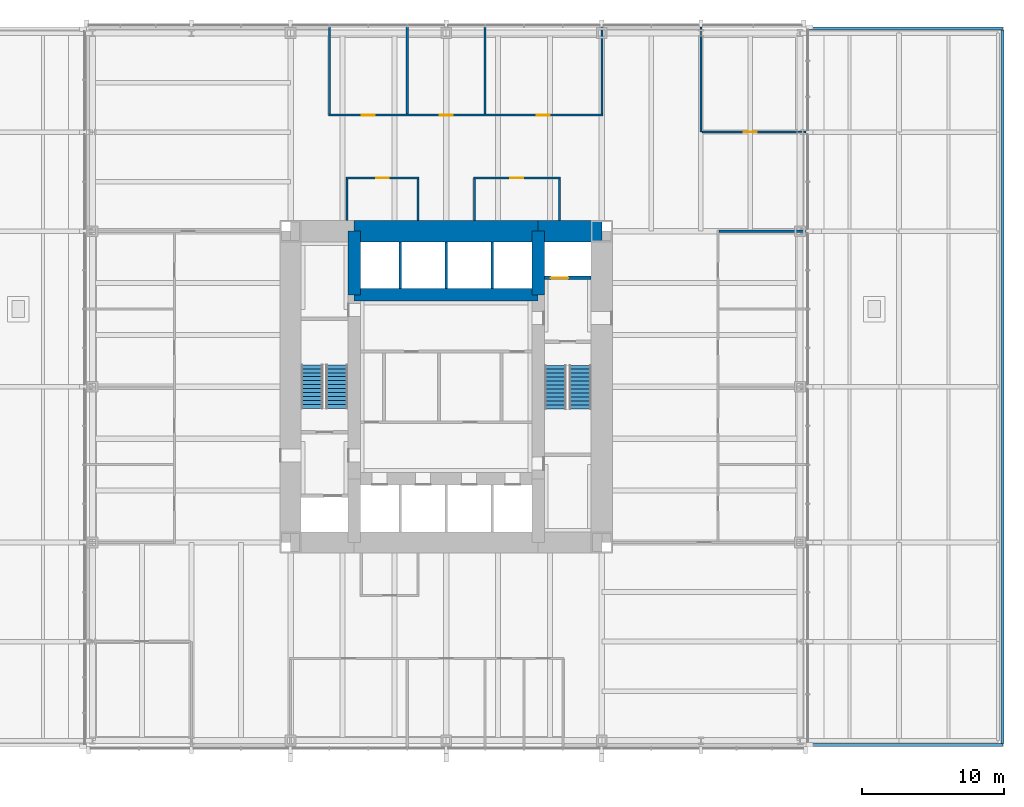
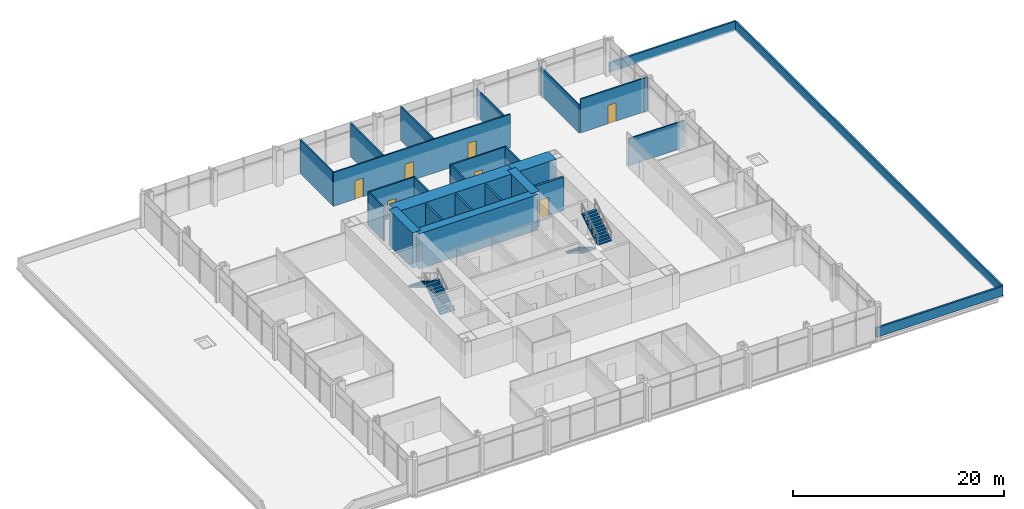
# One storey, part 14 of 15: 26 walls, 7 doors, 4 stair flights, 7 openings, 2 elements without a shape of their own.
"""IFC4 building model written with IfcOpenShell, lengths in metres."""

from ifc_helpers import new_model, si_unit, direction, frame, frame_2d, origin, place, context, subcontext, project, spatial, polyline, rectangle, outline, extrude, material, layer, layer_set, type_object, element, fill, aggregate, save


model = new_model("IFC4")

# Units and contexts
model_context = context("Model", 3, precision=1e-05, world=origin(), true_north=direction((0.0, 1.0)))
body_context = subcontext(model_context, "Body", "Model", "MODEL_VIEW")
ifc_project = project(units=[si_unit("LENGTHUNIT", "METRE"), si_unit("AREAUNIT", "SQUARE_METRE"), si_unit("VOLUMEUNIT", "CUBIC_METRE"), si_unit("PLANEANGLEUNIT", "RADIAN"), si_unit("MASSUNIT", "GRAM", prefix="KILO")], contexts=[model_context])

# Site, building, storey
site_placement = place(None, origin())
site = spatial("IfcSite", under=ifc_project, at=site_placement, CompositionType="ELEMENT")
building_placement = place(site_placement, origin())
building = spatial("IfcBuilding", under=site, at=building_placement, Name="Trevanion Tower", CompositionType="ELEMENT")
storey_placement = place(building_placement, frame((0.0, 0.0, 16.0)))
storey = spatial("IfcBuildingStorey", under=building, at=storey_placement, Name="L03", CompositionType="ELEMENT", Elevation=16.0)

# Walls
ifc_material_1 = material(Name="Concrete 10,000 psi", Category="concrete")
ifc_layer_1 = layer(ifc_material_1, 1.5)
ifc_layer_set_1 = layer_set([ifc_layer_1], Name="CW1 core wall 1500")
wall_type_1 = type_object("IfcWallType", Name="CW1 core wall 1500", PredefinedType="SHEAR", material=ifc_layer_set_1)
wall_1_placement = place(storey_placement, frame((11.0, 11.0, 0.0), z_axis=(0.0, 0.0, 1.0), x_axis=(-1.0, 0.0, 0.0)))
element("IfcWall", 1, at=wall_1_placement, inside=storey, type_object=wall_type_1, Name="CW1 CN1 L03", PredefinedType="SHEAR", context=body_context, shape_type="SweptSolid", body=[
    extrude(rectangle(XDim=4.5, YDim=1.5, at=frame_2d((2.25, 0.0))), origin(), (0.0, 0.0, 1.0), 4.10009765625),
])
wall_2_placement = place(storey_placement, frame((6.5, 11.0, 0.0), z_axis=(0.0, 0.0, 1.0), x_axis=(-1.0, 0.0, 0.0)))
element("IfcWall", 2, at=wall_2_placement, inside=storey, type_object=wall_type_1, Name="CW1 CN2 L03", PredefinedType="SHEAR", context=body_context, shape_type="SweptSolid", body=[
    extrude(rectangle(XDim=13.0, YDim=1.5, at=frame_2d((6.5, 0.0))), origin(), (0.0, 0.0, 1.0), 4.10009765625),
])
ifc_material_2 = material(Name="Concrete 10,000 psi", Category="concrete")
ifc_layer_2 = layer(ifc_material_2, 0.89990234375)
ifc_layer_set_2 = layer_set([ifc_layer_2], Name="CW2 core wall 900")
wall_type_2 = type_object("IfcWallType", Name="CW2 core wall 900", PredefinedType="SHEAR", material=ifc_layer_set_2)
for number, where, z_axis, x_axis, name in (
    (3, (6.5, 6.5, 0.0), (0.0, 0.0, 1.0), (0.0, 1.0, 0.0), "CW2 RE3 L03"),
    (4, (-6.5, 11.0, 0.0), (0.0, 0.0, 1.0), (0.0, -1.0, 0.0), "CW2 RW1 L03"),
):
    element("IfcWall", number, at=place(storey_placement, frame(where, z_axis=z_axis, x_axis=x_axis)), inside=storey, type_object=wall_type_2, Name=name, PredefinedType="SHEAR", context=body_context, shape_type="SweptSolid", body=[
        extrude(rectangle(XDim=4.5, YDim=0.89990234375, at=frame_2d((2.25, 0.0))), origin(), (0.0, 0.0, 1.0), 4.10009765625),
    ])
wall_3_placement = place(storey_placement, frame((6.5, 6.5, 0.0), z_axis=(0.0, 0.0, 1.0), x_axis=(-1.0, 0.0, 0.0)))
element("IfcWall", 5, at=wall_3_placement, inside=storey, type_object=wall_type_2, Name="CW2 RN L03", PredefinedType="SHEAR", context=body_context, shape_type="SweptSolid", body=[
    extrude(rectangle(XDim=13.0, YDim=0.89990234375, at=frame_2d((6.5, 0.0))), origin(), (0.0, 0.0, 1.0), 4.10009765625),
])
ifc_material_3 = material(Name="Reinforced concrete parapet faced in bronze metal coping", Category="concrete")
ifc_layer_3 = layer(ifc_material_3, 0.199951171875)
ifc_layer_set_3 = layer_set([ifc_layer_3], Name="PP1 parapet 200")
wall_type_3 = type_object("IfcWallType", Name="PP1 parapet 200", PredefinedType="PARAPET", material=ifc_layer_set_3)
wall_4_placement = place(storey_placement, frame((25.419921875, -25.320068359375, 0.0), z_axis=(0.0, 0.0, 1.0), x_axis=(1.0, 0.0, 0.0)))
element("IfcWall", 6, at=wall_4_placement, inside=storey, type_object=wall_type_3, Name="PP1 L03 east 1", PredefinedType="PARAPET", context=body_context, shape_type="SweptSolid", body=[
    extrude(rectangle(XDim=13.900146484375, YDim=0.199951171875, at=frame_2d((6.9501953125, 0.0))), origin(), (0.0, 0.0, 1.0), 1.10009765625),
])
wall_5_placement = place(storey_placement, frame((39.320068359375, -25.219970703125, 0.0), z_axis=(0.0, 0.0, 1.0), x_axis=(0.0, 1.0, 0.0)))
element("IfcWall", 7, at=wall_5_placement, inside=storey, type_object=wall_type_3, Name="PP1 L03 east 2", PredefinedType="PARAPET", context=body_context, shape_type="SweptSolid", body=[
    extrude(rectangle(XDim=50.43994140625, YDim=0.199951171875, at=frame_2d((25.219970703125, 0.0))), origin(), (0.0, 0.0, 1.0), 1.10009765625),
])
wall_6_placement = place(storey_placement, frame((39.320068359375, 25.320068359375, 0.0), z_axis=(0.0, 0.0, 1.0), x_axis=(-1.0, 0.0, 0.0)))
element("IfcWall", 8, at=wall_6_placement, inside=storey, type_object=wall_type_3, Name="PP1 L03 east 3", PredefinedType="PARAPET", context=body_context, shape_type="SweptSolid", body=[
    extrude(rectangle(XDim=13.900146484375, YDim=0.199951171875, at=frame_2d((6.9501953125, 0.0))), origin(), (0.0, 0.0, 1.0), 1.10009765625),
])
ifc_material_4 = material(Name="Gypsum board on steel studs", Category="steel")
ifc_layer_4 = layer(ifc_material_4, 0.14990234375)
ifc_layer_set_4 = layer_set([ifc_layer_4], Name="PT1 partition 150")
wall_type_4 = type_object("IfcWallType", Name="PT1 partition 150", PredefinedType="PARTITIONING", material=ifc_layer_set_4)
wall_7_placement = place(storey_placement, frame((18.0, 18.0, 0.0), z_axis=(0.0, 0.0, 1.0), x_axis=(0.0, 1.0, 0.0)))
element("IfcWall", 9, at=wall_7_placement, inside=storey, type_object=wall_type_4, Name="PT1 L03 KW0a", PredefinedType="PARTITIONING", context=body_context, shape_type="SweptSolid", body=[
    extrude(rectangle(XDim=7.4150390625, YDim=0.14990234375, at=frame_2d((3.70751953125, 0.0))), origin(), (0.0, 0.0, 1.0), 3.216552734375),
])

# Wall, opening, door
wall_8_placement = place(storey_placement, frame((18.074951171875, 18.0, 0.0), z_axis=(0.0, 0.0, 1.0), x_axis=(1.0, 0.0, 0.0)))
wall_8 = element("IfcWall", 10, at=wall_8_placement, inside=storey, type_object=wall_type_4, Name="PT1 L03 KW0b", PredefinedType="PARTITIONING", context=body_context, shape_type="SweptSolid", body=[
    extrude(rectangle(XDim=7.340087890625, YDim=0.14990234375, at=frame_2d((3.669921875, 0.0))), origin(), (0.0, 0.0, 1.0), 3.909912109375),
])
opening_1_placement = place(wall_8_placement, frame((2.967529296875, 0.0, 0.0)))
opening_1 = element("IfcOpeningElement", 11, at=opening_1_placement, cuts=wall_8, Name="Opening 03-021", PredefinedType="OPENING", context=body_context, shape_type="SweptSolid", body=[
    extrude(rectangle(XDim=0.9150390625, YDim=2.134033203125, at=frame_2d((0.45751953125, 1.06689453125))), frame((0.0, 0.0849609375, 0.0), z_axis=(0.0, -1.0, 0.0), x_axis=(1.0, 0.0, 0.0)), (0.0, 0.0, 1.0), 0.169921875),
])
ifc_material_5 = material(Name="Timber veneer, solid core", Category="wood")
door_type_1 = type_object("IfcDoorType", Name="D1 office and meeting room door", OperationType="SINGLE_SWING_LEFT", PredefinedType="DOOR", material=ifc_material_5)
door_1_placement = place(opening_1_placement, origin())
door_1 = element("IfcDoor", 12, at=door_1_placement, inside=storey, type_object=door_type_1, Name="Door 03-021", OperationType="SINGLE_SWING_LEFT", OverallHeight=2.134033203125, OverallWidth=0.9150390625, PredefinedType="DOOR", context=body_context, shape_type="SweptSolid", body=[
    extrude(rectangle(XDim=0.9150390625, YDim=2.134033203125, at=frame_2d((0.45751953125, 1.06689453125))), frame((0.0, 0.02490234375, 0.0), z_axis=(0.0, -1.0, 0.0), x_axis=(1.0, 0.0, 0.0)), (0.0, 0.0, 1.0), 0.050048828125),
])
fill(opening_1, door_1)

# Wall
wall_9_placement = place(storey_placement, frame((19.27490234375, 11.0, 0.0), z_axis=(0.0, 0.0, 1.0), x_axis=(1.0, 0.0, 0.0)))
element("IfcWall", 13, at=wall_9_placement, inside=storey, type_object=wall_type_4, Name="PT1 L03 FC0S8", PredefinedType="PARTITIONING", context=body_context, shape_type="SweptSolid", body=[
    extrude(rectangle(XDim=6.14013671875, YDim=0.14990234375, at=frame_2d((3.070068359375, 0.0))), origin(), (0.0, 0.0, 1.0), 3.130126953125),
])

# Wall, openings, doors
wall_10_placement = place(storey_placement, frame((11.074951171875, 19.199951171875, 0.0), z_axis=(0.0, 0.0, 1.0), x_axis=(-1.0, 0.0, 0.0)))
wall_10 = element("IfcWall", 14, at=wall_10_placement, inside=storey, type_object=wall_type_4, Name="PT1 L03 FC1F", PredefinedType="PARTITIONING", context=body_context, shape_type="SweptSolid", body=[
    extrude(rectangle(XDim=19.39990234375, YDim=0.14990234375, at=frame_2d((9.699951171875, 0.0))), origin(), (0.0, 0.0, 1.0), 3.909912109375),
])
opening_2_placement = place(wall_10_placement, frame((3.742431640625, 0.0, 0.0)))
opening_2 = element("IfcOpeningElement", 15, at=opening_2_placement, cuts=wall_10, Name="Opening 03-031", PredefinedType="OPENING", context=body_context, shape_type="SweptSolid", body=[
    extrude(rectangle(XDim=0.9150390625, YDim=2.134033203125, at=frame_2d((0.45751953125, 1.06689453125))), frame((0.0, 0.0849609375, 0.0), z_axis=(0.0, -1.0, 0.0), x_axis=(1.0, 0.0, 0.0)), (0.0, 0.0, 1.0), 0.169921875),
])
opening_3_placement = place(wall_10_placement, frame((10.617431640625, 0.0, 0.0)))
opening_3 = element("IfcOpeningElement", 16, at=opening_3_placement, cuts=wall_10, Name="Opening 03-032", PredefinedType="OPENING", context=body_context, shape_type="SweptSolid", body=[
    extrude(rectangle(XDim=0.9150390625, YDim=2.134033203125, at=frame_2d((0.45751953125, 1.06689453125))), frame((0.0, 0.0849609375, 0.0), z_axis=(0.0, -1.0, 0.0), x_axis=(1.0, 0.0, 0.0)), (0.0, 0.0, 1.0), 0.169921875),
])
opening_4_placement = place(wall_10_placement, frame((16.117431640625, 0.0, 0.0)))
opening_4 = element("IfcOpeningElement", 17, at=opening_4_placement, cuts=wall_10, Name="Opening 03-033", PredefinedType="OPENING", context=body_context, shape_type="SweptSolid", body=[
    extrude(rectangle(XDim=0.9150390625, YDim=2.134033203125, at=frame_2d((0.45751953125, 1.06689453125))), frame((0.0, 0.0849609375, 0.0), z_axis=(0.0, -1.0, 0.0), x_axis=(1.0, 0.0, 0.0)), (0.0, 0.0, 1.0), 0.169921875),
])
door_2_placement = place(opening_2_placement, origin())
door_2 = element("IfcDoor", 18, at=door_2_placement, inside=storey, type_object=door_type_1, Name="Door 03-031", OperationType="SINGLE_SWING_LEFT", OverallHeight=2.134033203125, OverallWidth=0.9150390625, PredefinedType="DOOR", context=body_context, shape_type="SweptSolid", body=[
    extrude(rectangle(XDim=0.9150390625, YDim=2.134033203125, at=frame_2d((0.45751953125, 1.06689453125))), frame((0.0, 0.02490234375, 0.0), z_axis=(0.0, -1.0, 0.0), x_axis=(1.0, 0.0, 0.0)), (0.0, 0.0, 1.0), 0.050048828125),
])
fill(opening_2, door_2)
door_3_placement = place(opening_3_placement, origin())
door_3 = element("IfcDoor", 19, at=door_3_placement, inside=storey, type_object=door_type_1, Name="Door 03-032", OperationType="SINGLE_SWING_LEFT", OverallHeight=2.134033203125, OverallWidth=0.9150390625, PredefinedType="DOOR", context=body_context, shape_type="SweptSolid", body=[
    extrude(rectangle(XDim=0.9150390625, YDim=2.134033203125, at=frame_2d((0.45751953125, 1.06689453125))), frame((0.0, 0.02490234375, 0.0), z_axis=(0.0, -1.0, 0.0), x_axis=(1.0, 0.0, 0.0)), (0.0, 0.0, 1.0), 0.050048828125),
])
fill(opening_3, door_3)
door_4_placement = place(opening_4_placement, origin())
door_4 = element("IfcDoor", 20, at=door_4_placement, inside=storey, type_object=door_type_1, Name="Door 03-033", OperationType="SINGLE_SWING_LEFT", OverallHeight=2.134033203125, OverallWidth=0.9150390625, PredefinedType="DOOR", context=body_context, shape_type="SweptSolid", body=[
    extrude(rectangle(XDim=0.9150390625, YDim=2.134033203125, at=frame_2d((0.45751953125, 1.06689453125))), frame((0.0, 0.02490234375, 0.0), z_axis=(0.0, -1.0, 0.0), x_axis=(1.0, 0.0, 0.0)), (0.0, 0.0, 1.0), 0.050048828125),
])
fill(opening_4, door_4)

# Walls
wall_11_placement = place(storey_placement, frame((11.0, 19.27490234375, 0.0), z_axis=(0.0, 0.0, 1.0), x_axis=(0.0, 1.0, 0.0)))
element("IfcWall", 21, at=wall_11_placement, inside=storey, type_object=wall_type_4, Name="PT1 L03 FC1S0", PredefinedType="PARTITIONING", context=body_context, shape_type="SweptSolid", body=[
    extrude(rectangle(XDim=6.14013671875, YDim=0.14990234375, at=frame_2d((3.070068359375, 0.0))), origin(), (0.0, 0.0, 1.0), 3.130126953125),
])
for number, where, z_axis, x_axis, name in (
    (22, (2.75, 19.27490234375, 0.0), (0.0, 0.0, 1.0), (0.0, 1.0, 0.0), "PT1 L03 FC1S3"),
    (23, (-2.75, 19.27490234375, 0.0), (0.0, 0.0, 1.0), (0.0, 1.0, 0.0), "PT1 L03 FC1S5"),
    (24, (-8.25, 19.27490234375, 0.0), (0.0, 0.0, 1.0), (0.0, 1.0, 0.0), "PT1 L03 FC1S7"),
):
    element("IfcWall", number, at=place(storey_placement, frame(where, z_axis=z_axis, x_axis=x_axis)), inside=storey, type_object=wall_type_4, Name=name, PredefinedType="PARTITIONING", context=body_context, shape_type="SweptSolid", body=[
        extrude(rectangle(XDim=6.14013671875, YDim=0.14990234375, at=frame_2d((3.070068359375, 0.0))), origin(), (0.0, 0.0, 1.0), 3.909912109375),
    ])

# Wall, opening, door
wall_12_placement = place(storey_placement, frame((8.074951171875, 14.75, 0.0), z_axis=(0.0, 0.0, 1.0), x_axis=(-1.0, 0.0, 0.0)))
wall_12 = element("IfcWall", 25, at=wall_12_placement, inside=storey, type_object=wall_type_4, Name="PT1 L03 IN10F", PredefinedType="PARTITIONING", context=body_context, shape_type="SweptSolid", body=[
    extrude(rectangle(XDim=6.14990234375, YDim=0.14990234375, at=frame_2d((3.074951171875, 0.0))), origin(), (0.0, 0.0, 1.0), 3.909912109375),
])
opening_5_placement = place(wall_12_placement, frame((2.617431640625, 0.0, 0.0)))
opening_5 = element("IfcOpeningElement", 26, at=opening_5_placement, cuts=wall_12, Name="Opening 03-038", PredefinedType="OPENING", context=body_context, shape_type="SweptSolid", body=[
    extrude(rectangle(XDim=0.9150390625, YDim=2.134033203125, at=frame_2d((0.45751953125, 1.06689453125))), frame((0.0, 0.0849609375, 0.0), z_axis=(0.0, -1.0, 0.0), x_axis=(1.0, 0.0, 0.0)), (0.0, 0.0, 1.0), 0.169921875),
])
door_5_placement = place(opening_5_placement, origin())
door_5 = element("IfcDoor", 27, at=door_5_placement, inside=storey, type_object=door_type_1, Name="Door 03-038", OperationType="SINGLE_SWING_LEFT", OverallHeight=2.134033203125, OverallWidth=0.9150390625, PredefinedType="DOOR", context=body_context, shape_type="SweptSolid", body=[
    extrude(rectangle(XDim=0.9150390625, YDim=2.134033203125, at=frame_2d((0.45751953125, 1.06689453125))), frame((0.0, 0.02490234375, 0.0), z_axis=(0.0, -1.0, 0.0), x_axis=(1.0, 0.0, 0.0)), (0.0, 0.0, 1.0), 0.050048828125),
])
fill(opening_5, door_5)

# Walls
for number, where, z_axis, x_axis, name in (
    (28, (8.0, 14.675048828125, 0.0), (0.0, 0.0, 1.0), (0.0, -1.0, 0.0), "PT1 L03 IN10S0"),
    (29, (2.0, 14.675048828125, 0.0), (0.0, 0.0, 1.0), (0.0, -1.0, 0.0), "PT1 L03 IN10S1"),
):
    element("IfcWall", number, at=place(storey_placement, frame(where, z_axis=z_axis, x_axis=x_axis)), inside=storey, type_object=wall_type_4, Name=name, PredefinedType="PARTITIONING", context=body_context, shape_type="SweptSolid", body=[
        extrude(rectangle(XDim=2.925048828125, YDim=0.14990234375, at=frame_2d((1.46240234375, 0.0))), origin(), (0.0, 0.0, 1.0), 3.909912109375),
    ])

# Wall, opening, door
wall_13_placement = place(storey_placement, frame((-1.925048828125, 14.75, 0.0), z_axis=(0.0, 0.0, 1.0), x_axis=(-1.0, 0.0, 0.0)))
wall_13 = element("IfcWall", 30, at=wall_13_placement, inside=storey, type_object=wall_type_4, Name="PT1 L03 IN11F", PredefinedType="PARTITIONING", context=body_context, shape_type="SweptSolid", body=[
    extrude(rectangle(XDim=5.14990234375, YDim=0.14990234375, at=frame_2d((2.574951171875, 0.0))), origin(), (0.0, 0.0, 1.0), 3.909912109375),
])
opening_6_placement = place(wall_13_placement, frame((2.117431640625, 0.0, 0.0)))
opening_6 = element("IfcOpeningElement", 31, at=opening_6_placement, cuts=wall_13, Name="Opening 03-039", PredefinedType="OPENING", context=body_context, shape_type="SweptSolid", body=[
    extrude(rectangle(XDim=0.9150390625, YDim=2.134033203125, at=frame_2d((0.45751953125, 1.06689453125))), frame((0.0, 0.0849609375, 0.0), z_axis=(0.0, -1.0, 0.0), x_axis=(1.0, 0.0, 0.0)), (0.0, 0.0, 1.0), 0.169921875),
])
door_6_placement = place(opening_6_placement, origin())
door_6 = element("IfcDoor", 32, at=door_6_placement, inside=storey, type_object=door_type_1, Name="Door 03-039", OperationType="SINGLE_SWING_LEFT", OverallHeight=2.134033203125, OverallWidth=0.9150390625, PredefinedType="DOOR", context=body_context, shape_type="SweptSolid", body=[
    extrude(rectangle(XDim=0.9150390625, YDim=2.134033203125, at=frame_2d((0.45751953125, 1.06689453125))), frame((0.0, 0.02490234375, 0.0), z_axis=(0.0, -1.0, 0.0), x_axis=(1.0, 0.0, 0.0)), (0.0, 0.0, 1.0), 0.050048828125),
])
fill(opening_6, door_6)

# Walls
for number, where, z_axis, x_axis, name in (
    (33, (-2.0, 14.675048828125, 0.0), (0.0, 0.0, 1.0), (0.0, -1.0, 0.0), "PT1 L03 IN11S0"),
    (34, (-7.0, 14.675048828125, 0.0), (0.0, 0.0, 1.0), (0.0, -1.0, 0.0), "PT1 L03 IN11S1"),
):
    element("IfcWall", number, at=place(storey_placement, frame(where, z_axis=z_axis, x_axis=x_axis)), inside=storey, type_object=wall_type_4, Name=name, PredefinedType="PARTITIONING", context=body_context, shape_type="SweptSolid", body=[
        extrude(rectangle(XDim=2.925048828125, YDim=0.14990234375, at=frame_2d((1.46240234375, 0.0))), origin(), (0.0, 0.0, 1.0), 3.909912109375),
    ])
ifc_material_6 = material(Name="Concrete masonry, grouted", Category="masonry")
ifc_layer_5 = layer(ifc_material_6, 0.199951171875)
ifc_layer_set_5 = layer_set([ifc_layer_5], Name="PT2 partition 200 2 HR")
wall_type_5 = type_object("IfcWallType", Name="PT2 partition 200 2 HR", PredefinedType="PARTITIONING", material=ifc_layer_set_5)
for number, where, z_axis, x_axis, name in (
    (35, (-3.25, 6.949951171875, 0.0), (0.0, 0.0, 1.0), (0.0, 1.0, 0.0), "PT2 L03 NS0"),
    (36, (0.0, 6.949951171875, 0.0), (0.0, 0.0, 1.0), (0.0, 1.0, 0.0), "PT2 L03 NS1"),
    (37, (3.25, 6.949951171875, 0.0), (0.0, 0.0, 1.0), (0.0, 1.0, 0.0), "PT2 L03 NS2"),
):
    element("IfcWall", number, at=place(storey_placement, frame(where, z_axis=z_axis, x_axis=x_axis)), inside=storey, type_object=wall_type_5, Name=name, PredefinedType="PARTITIONING", context=body_context, shape_type="SweptSolid", body=[
        extrude(rectangle(XDim=3.300048828125, YDim=0.199951171875, at=frame_2d((1.64990234375, 0.0))), origin(), (0.0, 0.0, 1.0), 3.909912109375),
    ])

# Wall, opening, door
ifc_material_7 = material(Name="Concrete masonry, grouted, two-hour", Category="masonry")
ifc_layer_6 = layer(ifc_material_7, 0.25)
ifc_layer_set_6 = layer_set([ifc_layer_6], Name="PT3 partition 250 2 HR")
wall_type_6 = type_object("IfcWallType", Name="PT3 partition 250 2 HR", PredefinedType="PARTITIONING", material=ifc_layer_set_6)
wall_14_placement = place(storey_placement, frame((6.949951171875, 7.699951171875, 0.0), z_axis=(0.0, 0.0, 1.0), x_axis=(1.0, 0.0, 0.0)))
wall_14 = element("IfcWall", 38, at=wall_14_placement, inside=storey, type_object=wall_type_6, Name="PT3 L03 EP3", PredefinedType="PARTITIONING", context=body_context, shape_type="SweptSolid", body=[
    extrude(rectangle(XDim=3.300048828125, YDim=0.25, at=frame_2d((1.64990234375, 0.0))), origin(), (0.0, 0.0, 1.0), 3.909912109375),
])
opening_7_placement = place(wall_14_placement, frame((0.449951171875, 0.0, 0.0)))
opening_7 = element("IfcOpeningElement", 39, at=opening_7_placement, cuts=wall_14, Name="Opening 03-007", PredefinedType="OPENING", context=body_context, shape_type="SweptSolid", body=[
    extrude(rectangle(XDim=1.218994140625, YDim=2.134033203125, at=frame_2d((0.609375, 1.06689453125))), frame((0.0, 0.135009765625, 0.0), z_axis=(0.0, -1.0, 0.0), x_axis=(1.0, 0.0, 0.0)), (0.0, 0.0, 1.0), 0.27001953125),
])
ifc_material_8 = material(Name="Stainless steel, fire rated", Category="steel")
door_type_2 = type_object("IfcDoorType", Name="LD2 fire service lift landing door", OperationType="SLIDING_TO_LEFT", PredefinedType="DOOR", material=ifc_material_8)
door_7_placement = place(opening_7_placement, origin())
door_7 = element("IfcDoor", 40, at=door_7_placement, inside=storey, type_object=door_type_2, Name="Door 03-007", OperationType="SLIDING_TO_LEFT", OverallHeight=2.134033203125, OverallWidth=1.218994140625, PredefinedType="DOOR", context=body_context, shape_type="SweptSolid", body=[
    extrude(rectangle(XDim=1.218994140625, YDim=2.134033203125, at=frame_2d((0.609375, 1.06689453125))), frame((0.0, 0.02490234375, 0.0), z_axis=(0.0, -1.0, 0.0), x_axis=(1.0, 0.0, 0.0)), (0.0, 0.0, 1.0), 0.050048828125),
])
fill(opening_7, door_7)

# Stair, stair flights
ifc_material_9 = material(Name="Concrete 5,000 psi on steel stringers", Category="concrete")
stair_type = type_object("IfcStairType", Name="ST stair", PredefinedType="HALF_TURN_STAIR", material=ifc_material_9)
stair_1_placement = place(storey_placement, origin())
stair_1 = element("IfcStair", 41, at=stair_1_placement, inside=storey, type_object=stair_type, Name="ST1 L03", PredefinedType="HALF_TURN_STAIR")
ifc_material_10 = material(Name="Concrete 5,000 psi in steel pan", Category="concrete")
stair_flight_type = type_object("IfcStairFlightType", Name="STF stair flight", PredefinedType="STRAIGHT", material=ifc_material_10)
stair_flight_1_placement = place(storey_placement, frame((7.72509765625, 1.52490234375, 0.0), z_axis=(0.0, 0.0, 1.0), x_axis=(0.0, -1.0, 0.0)))
stair_flight_1 = element("IfcStairFlight", 42, at=stair_flight_1_placement, type_object=stair_flight_type, Name="ST1 flight 1", NumberOfRisers=12, NumberOfTreads=11, PredefinedType="STRAIGHT", RiserHeight=0.170833333, TreadLength=0.28, context=body_context, shape_type="SweptSolid", body=[
    extrude(outline(polyline([(0.0, 0.0), (0.0, 0.1708984375), (0.280029296875, 0.1708984375), (0.280029296875, 0.341552734375), (0.56005859375, 0.341552734375), (0.56005859375, 0.512451171875), (0.840087890625, 0.512451171875), (0.840087890625, 0.683349609375), (1.1201171875, 0.683349609375), (1.1201171875, 0.854248046875), (1.39990234375, 0.854248046875), (1.39990234375, 1.02490234375), (1.679931640625, 1.02490234375), (1.679931640625, 1.19580078125), (1.9599609375, 1.19580078125), (1.9599609375, 1.36669921875), (2.239990234375, 1.36669921875), (2.239990234375, 1.53759765625), (2.52001953125, 1.53759765625), (2.52001953125, 1.708251953125), (2.800048828125, 1.708251953125), (2.800048828125, 1.879150390625), (3.080078125, 1.879150390625), (3.080078125, 2.050048828125), (3.080078125, 1.70361328125), (0.287841796875, 0.0), (0.0, 0.0)])), frame((0.0, 0.77490234375, 0.0), z_axis=(0.0, -1.0, 0.0), x_axis=(1.0, 0.0, 0.0)), (0.0, 0.0, 1.0), 1.550048828125),
])
stair_flight_2_placement = place(storey_placement, frame((9.47509765625, -1.554931640625, 2.050048828125), z_axis=(0.0, 0.0, 1.0), x_axis=(0.0, 1.0, 0.0)))
stair_flight_2 = element("IfcStairFlight", 43, at=stair_flight_2_placement, type_object=stair_flight_type, Name="ST1 flight 2", NumberOfRisers=12, NumberOfTreads=11, PredefinedType="STRAIGHT", RiserHeight=0.170833333, TreadLength=0.28, context=body_context, shape_type="SweptSolid", body=[
    extrude(outline(polyline([(0.0, 0.0), (0.0, 0.1708984375), (0.280029296875, 0.1708984375), (0.280029296875, 0.341552734375), (0.56005859375, 0.341552734375), (0.56005859375, 0.512451171875), (0.840087890625, 0.512451171875), (0.840087890625, 0.683349609375), (1.1201171875, 0.683349609375), (1.1201171875, 0.854248046875), (1.39990234375, 0.854248046875), (1.39990234375, 1.02490234375), (1.679931640625, 1.02490234375), (1.679931640625, 1.19580078125), (1.9599609375, 1.19580078125), (1.9599609375, 1.36669921875), (2.239990234375, 1.36669921875), (2.239990234375, 1.53759765625), (2.52001953125, 1.53759765625), (2.52001953125, 1.708251953125), (2.800048828125, 1.708251953125), (2.800048828125, 1.879150390625), (3.080078125, 1.879150390625), (3.080078125, 2.050048828125), (3.080078125, 1.70361328125), (0.287841796875, 0.0), (0.0, 0.0)])), frame((0.0, 0.77490234375, 0.0), z_axis=(0.0, -1.0, 0.0), x_axis=(1.0, 0.0, 0.0)), (0.0, 0.0, 1.0), 1.550048828125),
])
aggregate(stair_1, [stair_flight_1, stair_flight_2])

stair_2_placement = place(storey_placement, origin())
stair_2 = element("IfcStair", 44, at=stair_2_placement, inside=storey, type_object=stair_type, Name="ST2 L03", PredefinedType="HALF_TURN_STAIR")
stair_flight_3_placement = place(storey_placement, frame((-7.72509765625, -1.52490234375, 0.0), z_axis=(0.0, 0.0, 1.0), x_axis=(0.0, 1.0, 0.0)))
stair_flight_3 = element("IfcStairFlight", 45, at=stair_flight_3_placement, type_object=stair_flight_type, Name="ST2 flight 1", NumberOfRisers=12, NumberOfTreads=11, PredefinedType="STRAIGHT", RiserHeight=0.170833333, TreadLength=0.28, context=body_context, shape_type="SweptSolid", body=[
    extrude(outline(polyline([(0.0, 0.0), (0.0, 0.1708984375), (0.280029296875, 0.1708984375), (0.280029296875, 0.341552734375), (0.56005859375, 0.341552734375), (0.56005859375, 0.512451171875), (0.840087890625, 0.512451171875), (0.840087890625, 0.683349609375), (1.1201171875, 0.683349609375), (1.1201171875, 0.854248046875), (1.39990234375, 0.854248046875), (1.39990234375, 1.02490234375), (1.679931640625, 1.02490234375), (1.679931640625, 1.19580078125), (1.9599609375, 1.19580078125), (1.9599609375, 1.36669921875), (2.239990234375, 1.36669921875), (2.239990234375, 1.53759765625), (2.52001953125, 1.53759765625), (2.52001953125, 1.708251953125), (2.800048828125, 1.708251953125), (2.800048828125, 1.879150390625), (3.080078125, 1.879150390625), (3.080078125, 2.050048828125), (3.080078125, 1.70361328125), (0.287841796875, 0.0), (0.0, 0.0)])), frame((0.0, 0.77490234375, 0.0), z_axis=(0.0, -1.0, 0.0), x_axis=(1.0, 0.0, 0.0)), (0.0, 0.0, 1.0), 1.550048828125),
])
stair_flight_4_placement = place(storey_placement, frame((-9.47509765625, 1.554931640625, 2.050048828125), z_axis=(0.0, 0.0, 1.0), x_axis=(0.0, -1.0, 0.0)))
stair_flight_4 = element("IfcStairFlight", 46, at=stair_flight_4_placement, type_object=stair_flight_type, Name="ST2 flight 2", NumberOfRisers=12, NumberOfTreads=11, PredefinedType="STRAIGHT", RiserHeight=0.170833333, TreadLength=0.28, context=body_context, shape_type="SweptSolid", body=[
    extrude(outline(polyline([(0.0, 0.0), (0.0, 0.1708984375), (0.280029296875, 0.1708984375), (0.280029296875, 0.341552734375), (0.56005859375, 0.341552734375), (0.56005859375, 0.512451171875), (0.840087890625, 0.512451171875), (0.840087890625, 0.683349609375), (1.1201171875, 0.683349609375), (1.1201171875, 0.854248046875), (1.39990234375, 0.854248046875), (1.39990234375, 1.02490234375), (1.679931640625, 1.02490234375), (1.679931640625, 1.19580078125), (1.9599609375, 1.19580078125), (1.9599609375, 1.36669921875), (2.239990234375, 1.36669921875), (2.239990234375, 1.53759765625), (2.52001953125, 1.53759765625), (2.52001953125, 1.708251953125), (2.800048828125, 1.708251953125), (2.800048828125, 1.879150390625), (3.080078125, 1.879150390625), (3.080078125, 2.050048828125), (3.080078125, 1.70361328125), (0.287841796875, 0.0), (0.0, 0.0)])), frame((0.0, 0.77490234375, 0.0), z_axis=(0.0, -1.0, 0.0), x_axis=(1.0, 0.0, 0.0)), (0.0, 0.0, 1.0), 1.550048828125),
])
aggregate(stair_2, [stair_flight_3, stair_flight_4])

save(model, "model.ifc")
